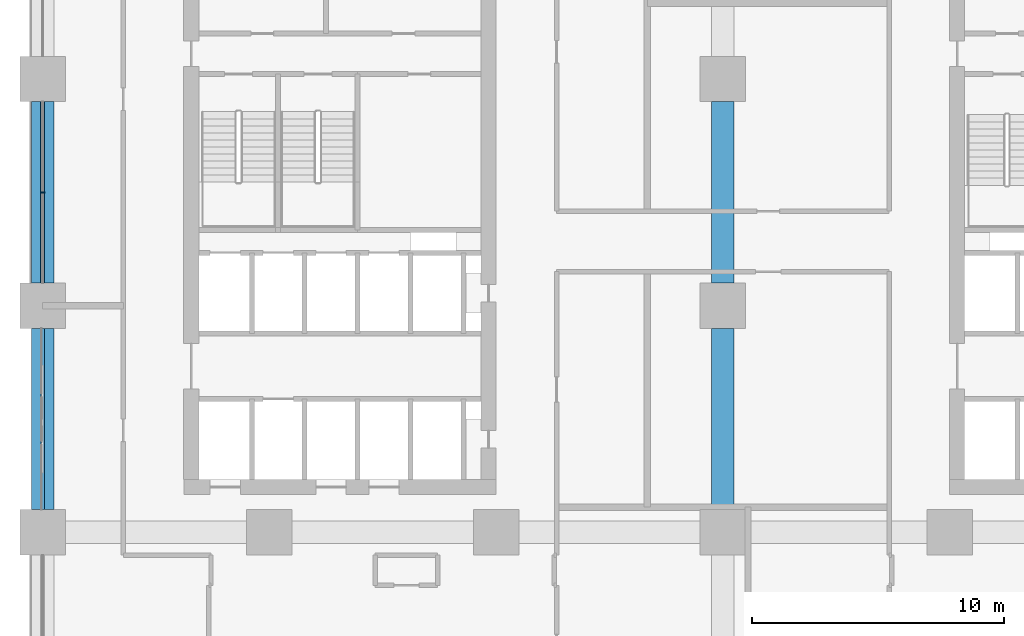
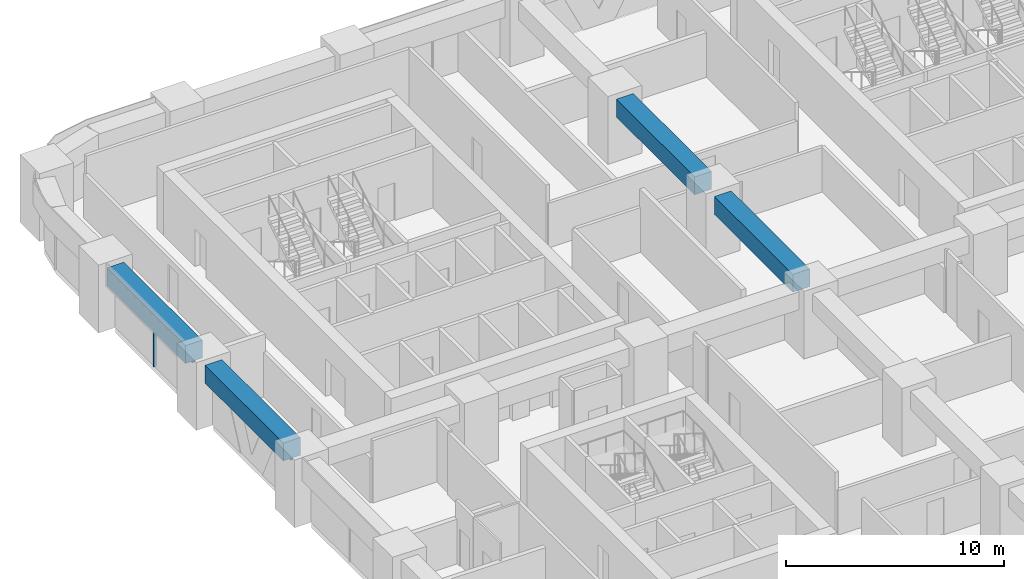
# One storey, part 7 of 24: 4 beams, 3 members, 2 elements without a shape of their own.
"""IFC4 building model written with IfcOpenShell, lengths in metres."""

from ifc_helpers import new_model, si_unit, direction, frame, origin, origin_2d, place, context, subcontext, project, spatial, rectangle, extrude, material, material_profile, profile_set, type_object, element, aggregate, save


model = new_model("IFC4")

# Units and contexts
model_context = context("Model", 3, precision=1e-05, world=origin(), true_north=direction((0.0, 1.0)))
body_context = subcontext(model_context, "Body", "Model", "MODEL_VIEW")
ifc_project = project(units=[si_unit("LENGTHUNIT", "METRE"), si_unit("AREAUNIT", "SQUARE_METRE"), si_unit("VOLUMEUNIT", "CUBIC_METRE"), si_unit("PLANEANGLEUNIT", "RADIAN"), si_unit("MASSUNIT", "GRAM", prefix="KILO")], contexts=[model_context])

# Site, building, storey
site_placement = place(None, origin())
site = spatial("IfcSite", under=ifc_project, at=site_placement, CompositionType="ELEMENT")
building_placement = place(site_placement, origin())
building = spatial("IfcBuilding", under=site, at=building_placement, Name="Tessera Arch", CompositionType="ELEMENT")
storey_placement = place(building_placement, frame((0.0, 0.0, 38.60009765625)))
storey = spatial("IfcBuildingStorey", under=building, at=storey_placement, Name="L07", CompositionType="ELEMENT", Elevation=38.60009765625)

# Curtain wall, members
ifc_material_1 = material(Name="CW1 curtain wall")
curtain_wall_type_1 = type_object("IfcCurtainWallType", Name="CW1 curtain wall", PredefinedType="NOTDEFINED", material=ifc_material_1)
curtain_wall_1_placement = place(storey_placement, origin())
curtain_wall_1 = element("IfcCurtainWall", 1, at=curtain_wall_1_placement, inside=storey, type_object=curtain_wall_type_1, Name="CW1 curtain wall W0.0/1 L07", PredefinedType="NOTDEFINED")
ifc_material_2 = material(Name="Anodised aluminium pale metal", Category="aluminium")
ifc_material_profile_1 = material_profile(ifc_material_2, rectangle(XDim=0.159912109375, YDim=0.06005859375, at=origin_2d()), Name="AL 60x160")
ifc_profile_set_1 = profile_set([ifc_material_profile_1], Name="Anodised aluminium pale metal")
member_type_1 = type_object("IfcMemberType", Name="CW1 mullion", PredefinedType="MULLION", material=ifc_profile_set_1)
member_1_placement = place(storey_placement, frame((0.0, 40.5, 0.0), z_axis=(0.0, 0.0, 1.0), x_axis=(1.0, 0.0, 0.0)))
member_1 = element("IfcMember", 2, at=member_1_placement, type_object=member_type_1, Name="CW1 mullion W0.0/1 1", PredefinedType="MULLION", context=body_context, shape_type="SweptSolid", body=[
    extrude(rectangle(XDim=0.159912109375, YDim=0.06005859375, at=origin_2d()), origin(), (0.0, 0.0, 1.0), 2.39990234375),
])
ifc_material_3 = material(Name="Anodised aluminium pale metal", Category="aluminium")
ifc_material_profile_2 = material_profile(ifc_material_3, rectangle(XDim=0.159912109375, YDim=0.10009765625, at=origin_2d()), Name="AL 160x100")
ifc_profile_set_2 = profile_set([ifc_material_profile_2], Name="Anodised aluminium pale metal")
member_type_2 = type_object("IfcMemberType", Name="CW1 transom", PredefinedType="USERDEFINED", material=ifc_profile_set_2)
member_2_placement = place(storey_placement, frame((0.0, 44.10009765625, 2.449951171875), z_axis=(0.0, -1.0, 0.0), x_axis=(1.0, 0.0, 0.0)))
member_2 = element("IfcMember", 3, at=member_2_placement, type_object=member_type_2, Name="CW1 transom W0.0/1 1.1", ObjectType="TRANSOM", PredefinedType="USERDEFINED", context=body_context, shape_type="SweptSolid", body=[
    extrude(rectangle(XDim=0.159912109375, YDim=0.10009765625, at=origin_2d()), origin(), (0.0, 0.0, 1.0), 7.2001953125),
])
aggregate(curtain_wall_1, [member_1, member_2])

# Curtain wall, member
ifc_material_4 = material(Name="CW3 curtain wall")
curtain_wall_type_2 = type_object("IfcCurtainWallType", Name="CW3 curtain wall", PredefinedType="NOTDEFINED", material=ifc_material_4)
curtain_wall_2_placement = place(storey_placement, origin())
curtain_wall_2 = element("IfcCurtainWall", 4, at=curtain_wall_2_placement, inside=storey, type_object=curtain_wall_type_2, Name="CW3 curtain wall W0.0/2 L07", PredefinedType="NOTDEFINED")
ifc_material_5 = material(Name="Anodised aluminium pale metal", Category="aluminium")
ifc_material_profile_3 = material_profile(ifc_material_5, rectangle(XDim=0.139892578125, YDim=0.10009765625, at=origin_2d()), Name="AL 140x100")
ifc_profile_set_3 = profile_set([ifc_material_profile_3], Name="Anodised aluminium pale metal")
member_type_3 = type_object("IfcMemberType", Name="CW3 transom", PredefinedType="USERDEFINED", material=ifc_profile_set_3)
member_3_placement = place(storey_placement, frame((0.0, 35.10009765625, 2.449951171875), z_axis=(0.0, -1.0, 0.0), x_axis=(1.0, 0.0, 0.0)))
member_3 = element("IfcMember", 5, at=member_3_placement, type_object=member_type_3, Name="CW3 transom W0.0/2 1.1", ObjectType="TRANSOM", PredefinedType="USERDEFINED", context=body_context, shape_type="SweptSolid", body=[
    extrude(rectangle(XDim=0.139892578125, YDim=0.10009765625, at=origin_2d()), origin(), (0.0, 0.0, 1.0), 7.2001953125),
])
aggregate(curtain_wall_2, [member_3])

# Beams
ifc_material_6 = material(Name="Concrete C80/95", Category="concrete")
ifc_material_profile_4 = material_profile(ifc_material_6, rectangle(XDim=0.89990234375, YDim=1.0, at=origin_2d()), Name="RC spandrel beam 900 x 1000 Concrete C80/95")
ifc_profile_set_4 = profile_set([ifc_material_profile_4], Name="Concrete C80/95")
beam_type = type_object("IfcBeamType", Name="RC spandrel beam 900 x 1000 Concrete C80/95", PredefinedType="BEAM", material=ifc_profile_set_4)
for number, where, z_axis, x_axis, name in (
    (6, (0.0, 44.10009765625, 3.0), (0.0, -1.0, 0.0), (1.0, 0.0, 0.0), "Spandrel beam L07 W0.0/1"),
    (7, (0.0, 35.10009765625, 3.0), (0.0, -1.0, 0.0), (1.0, 0.0, 0.0), "Spandrel beam L07 W0.0/2"),
    (8, (27.0, 27.89990234375, 3.0), (0.0, 1.0, 0.0), (-1.0, 0.0, 0.0), "Interface beam L07 I0C4D-C4E"),
    (9, (27.0, 36.89990234375, 3.0), (0.0, 1.0, 0.0), (-1.0, 0.0, 0.0), "Interface beam L07 I0C4E-C4F"),
):
    element("IfcBeam", number, at=place(storey_placement, frame(where, z_axis=z_axis, x_axis=x_axis)), inside=storey, type_object=beam_type, Name=name, PredefinedType="BEAM", context=body_context, shape_type="SweptSolid", body=[
        extrude(rectangle(XDim=0.89990234375, YDim=1.0, at=origin_2d()), origin(), (0.0, 0.0, 1.0), 7.2001953125),
    ])

save(model, "model.ifc")
